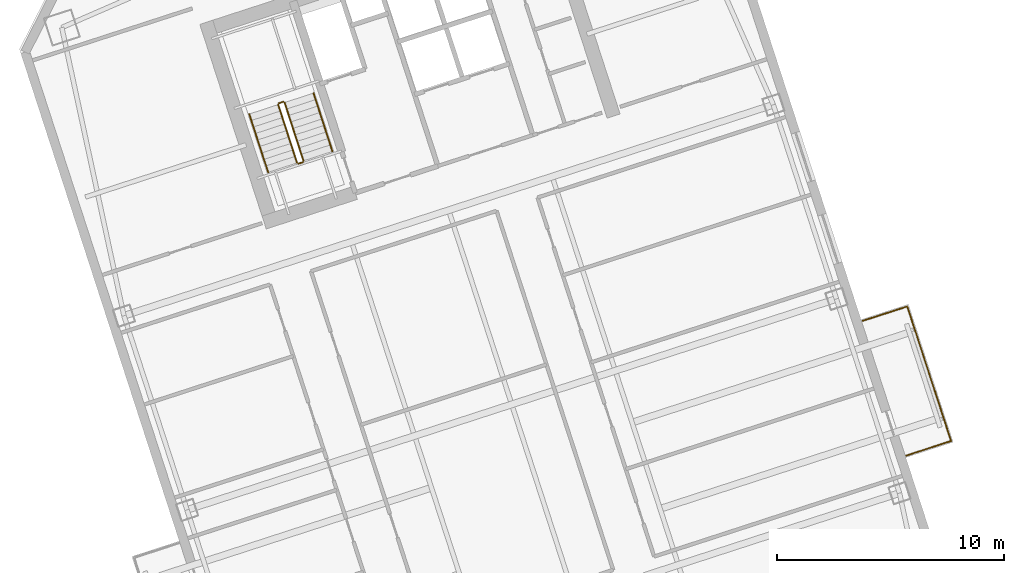
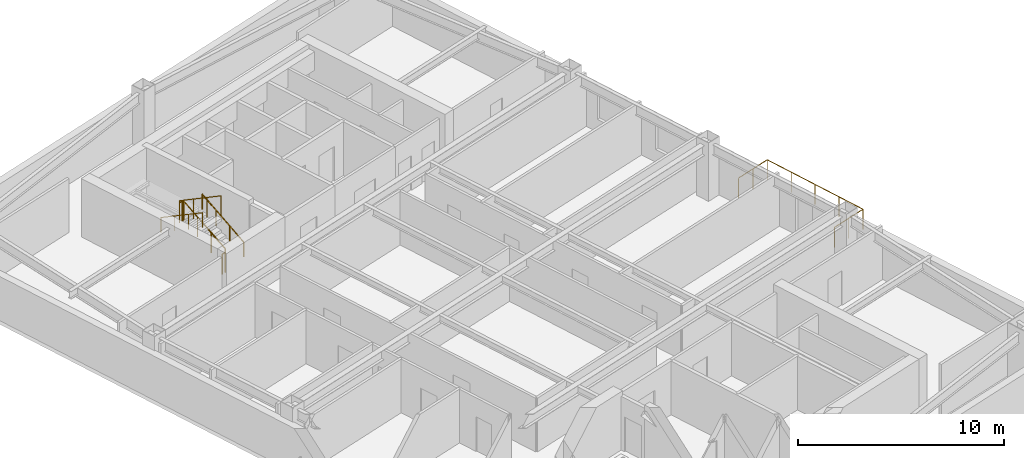
# One storey, part 15 of 15: 7 railings.
"""IFC4 building model written with IfcOpenShell, lengths in metres."""

from ifc_helpers import new_model, si_unit, direction, frame, origin, origin_2d, place, context, subcontext, project, spatial, circle, extrude, material, type_object, element, save


model = new_model("IFC4")

# Units and contexts
model_context = context("Model", 3, precision=1e-05, world=origin(), true_north=direction((0.0, 1.0)))
body_context = subcontext(model_context, "Body", "Model", "MODEL_VIEW")
ifc_project = project(units=[si_unit("LENGTHUNIT", "METRE"), si_unit("AREAUNIT", "SQUARE_METRE"), si_unit("VOLUMEUNIT", "CUBIC_METRE"), si_unit("PLANEANGLEUNIT", "RADIAN"), si_unit("MASSUNIT", "GRAM", prefix="KILO")], contexts=[model_context])

# Site, building, storey
site_placement = place(None, origin())
site = spatial("IfcSite", under=ifc_project, at=site_placement, CompositionType="ELEMENT")
building_placement = place(site_placement, origin())
building = spatial("IfcBuilding", under=site, at=building_placement, Name="Qiaolan Cultural Towers", CompositionType="ELEMENT")
storey_placement = place(building_placement, frame((0.0, 0.0, 166.75)))
storey = spatial("IfcBuildingStorey", under=building, at=storey_placement, Name="L44", CompositionType="ELEMENT", Elevation=166.75)

# Railings
ifc_material_1 = material(Name="Laminated SentryGlas & Stainless Steel S31608 Balustrade", Category="steel")
railing_type_1 = type_object("IfcRailingType", Name="GRD-TERR-1200", PredefinedType="BALUSTRADE", material=ifc_material_1)
railing_1_placement = place(storey_placement, frame((107.39794921875, 31.74609375, 0.0)))
element("IfcRailing", 1, at=railing_1_placement, inside=storey, type_object=railing_type_1, Name="L44 T2 Tree Balcony Guardrail E", PredefinedType="BALUSTRADE", context=body_context, shape_type="SweptSolid", body=[
    extrude(circle(Radius=0.02392578125, at=origin_2d()), frame((0.0, 0.0, 1.17578125), z_axis=(0.951061799618, 0.309000733507, 0.0), x_axis=(-0.309000733507, 0.951061799618, 0.0)), (0.0, 0.0, 1.0), 2.070068359375),
    extrude(circle(Radius=0.02392578125, at=origin_2d()), frame((1.96875, 0.6396484375, 1.17578125), z_axis=(-0.30901175762, 0.951058217804, 0.0), x_axis=(-0.951058217804, -0.30901175762, 0.0)), (0.0, 0.0, 1.0), 6.239990234375),
    extrude(circle(Radius=0.02392578125, at=origin_2d()), frame((0.04052734375, 6.57421875, 1.17578125), z_axis=(-0.951061799618, -0.309000733507, 0.0), x_axis=(0.309000733507, -0.951061799618, 0.0)), (0.0, 0.0, 1.0), 2.070068359375),
    extrude(circle(Radius=0.02099609375, at=origin_2d()), origin(), (0.0, 0.0, 1.0), 1.15185546875),
    extrude(circle(Radius=0.02099609375, at=origin_2d()), frame((0.984375, 0.31982421875, 0.0)), (0.0, 0.0, 1.0), 1.15185546875),
    extrude(circle(Radius=0.02099609375, at=origin_2d()), frame((1.96875, 0.6396484375, 0.0)), (0.0, 0.0, 1.0), 1.15185546875),
    extrude(circle(Radius=0.02099609375, at=origin_2d()), frame((1.48681640625, 2.123291015625, 0.0)), (0.0, 0.0, 1.0), 1.15185546875),
    extrude(circle(Radius=0.02099609375, at=origin_2d()), frame((1.004638671875, 3.60693359375, 0.0)), (0.0, 0.0, 1.0), 1.15185546875),
    extrude(circle(Radius=0.02099609375, at=origin_2d()), frame((0.5224609375, 5.090576171875, 0.0)), (0.0, 0.0, 1.0), 1.15185546875),
    extrude(circle(Radius=0.02099609375, at=origin_2d()), frame((0.04052734375, 6.57421875, 0.0)), (0.0, 0.0, 1.0), 1.15185546875),
    extrude(circle(Radius=0.02099609375, at=origin_2d()), frame((-0.94384765625, 6.25439453125, 0.0)), (0.0, 0.0, 1.0), 1.15185546875),
    extrude(circle(Radius=0.02099609375, at=origin_2d()), frame((-1.92822265625, 5.9345703125, 0.0)), (0.0, 0.0, 1.0), 1.15185546875),
])
ifc_material_2 = material(Name="Galvanized Painted Steel Stair Guardrail", Category="steel")
railing_type_2 = type_object("IfcRailingType", Name="RL-STAIR-GRD", PredefinedType="GUARDRAIL", material=ifc_material_2)
railing_2_placement = place(storey_placement, frame((80.822021484375, 44.739501953125, 0.172607421875)))
element("IfcRailing", 2, at=railing_2_placement, inside=storey, type_object=railing_type_2, Name="L44 ST-E2 stair guard 1", PredefinedType="GUARDRAIL", context=body_context, shape_type="SweptSolid", body=[
    extrude(circle(Radius=0.02392578125, at=origin_2d()), frame((0.0, 0.0, 1.17578125), z_axis=(-0.26785290645, 0.824488402118, 0.498471358535), x_axis=(-0.951069945308, -0.308975661068, 0.0)), (0.0, 0.0, 1.0), 3.114501953125),
    extrude(circle(Radius=0.02099609375, at=origin_2d()), origin(), (0.0, 0.0, 1.0), 1.15185546875),
    extrude(circle(Radius=0.02099609375, at=origin_2d()), frame((-0.278076171875, 0.85595703125, 0.517578125)), (0.0, 0.0, 1.0), 1.15185546875),
    extrude(circle(Radius=0.02099609375, at=origin_2d()), frame((-0.55615234375, 1.7119140625, 1.034912109375)), (0.0, 0.0, 1.0), 1.15185546875),
    extrude(circle(Radius=0.02099609375, at=origin_2d()), frame((-0.834228515625, 2.56787109375, 1.552490234375)), (0.0, 0.0, 1.0), 1.15185546875),
])
railing_3_placement = place(storey_placement, frame((79.9248046875, 47.33935546875, 1.72509765625)))
element("IfcRailing", 3, at=railing_3_placement, inside=storey, type_object=railing_type_2, Name="L44 ST-E2 stair guard 2", PredefinedType="GUARDRAIL", context=body_context, shape_type="SweptSolid", body=[
    extrude(circle(Radius=0.02392578125, at=origin_2d()), frame((0.0, 0.0, 1.17578125), z_axis=(-0.951096855055, -0.308892816854, 0.0), x_axis=(0.308892816854, -0.951096855055, 0.0)), (0.0, 0.0, 1.0), 0.199951171875),
    extrude(circle(Radius=0.02099609375, at=origin_2d()), origin(), (0.0, 0.0, 1.0), 1.15185546875),
    extrude(circle(Radius=0.02099609375, at=origin_2d()), frame((-0.190185546875, -0.061767578125, 0.0)), (0.0, 0.0, 1.0), 1.15185546875),
])
railing_4_placement = place(storey_placement, frame((79.702392578125, 47.214599609375, 1.8974609375)))
element("IfcRailing", 4, at=railing_4_placement, inside=storey, type_object=railing_type_2, Name="L44 ST-E2 stair guard 3", PredefinedType="GUARDRAIL", context=body_context, shape_type="SweptSolid", body=[
    extrude(circle(Radius=0.02392578125, at=origin_2d()), frame((0.0, 0.0, 1.17578125), z_axis=(0.267925668498, -0.824471088726, 0.498460891159), x_axis=(0.951043371037, 0.309057448393, 0.0)), (0.0, 0.0, 1.0), 3.114501953125),
    extrude(circle(Radius=0.02099609375, at=origin_2d()), origin(), (0.0, 0.0, 1.0), 1.15185546875),
    extrude(circle(Radius=0.02099609375, at=origin_2d()), frame((0.278076171875, -0.85595703125, 0.517578125)), (0.0, 0.0, 1.0), 1.15185546875),
    extrude(circle(Radius=0.02099609375, at=origin_2d()), frame((0.556396484375, -1.7119140625, 1.034912109375)), (0.0, 0.0, 1.0), 1.15185546875),
    extrude(circle(Radius=0.02099609375, at=origin_2d()), frame((0.83447265625, -2.56787109375, 1.552490234375)), (0.0, 0.0, 1.0), 1.15185546875),
])
railing_5_placement = place(storey_placement, frame((80.7900390625, 44.676513671875, 0.0)))
element("IfcRailing", 5, at=railing_5_placement, inside=storey, type_object=railing_type_2, Name="L44 ST-E2 stair guard 4", PredefinedType="GUARDRAIL", context=body_context, shape_type="SweptSolid", body=[
    extrude(circle(Radius=0.02392578125, at=origin_2d()), frame((0.0, 0.0, 1.17578125), z_axis=(-0.951096855055, -0.308892816854, 0.0), x_axis=(0.308892816854, -0.951096855055, 0.0)), (0.0, 0.0, 1.0), 0.199951171875),
    extrude(circle(Radius=0.02099609375, at=origin_2d()), origin(), (0.0, 0.0, 1.0), 1.15185546875),
    extrude(circle(Radius=0.02099609375, at=origin_2d()), frame((-0.190185546875, -0.061767578125, 0.0)), (0.0, 0.0, 1.0), 1.15185546875),
])
ifc_material_3 = material(Name="Stainless Steel S30408 Tubular Handrail", Category="steel")
railing_type_3 = type_object("IfcRailingType", Name="RL-STAIR-HR", PredefinedType="HANDRAIL", material=ifc_material_3)
railing_6_placement = place(storey_placement, frame((82.096435546875, 45.153564453125, 0.172607421875)))
element("IfcRailing", 6, at=railing_6_placement, inside=storey, type_object=railing_type_3, Name="L44 ST-E2 stair handrail 1", PredefinedType="HANDRAIL", context=body_context, shape_type="SweptSolid", body=[
    extrude(circle(Radius=0.02392578125, at=origin_2d()), frame((0.0, 0.0, 0.8759765625), z_axis=(-0.26785290645, 0.824488402118, 0.498471358535), x_axis=(-0.951069945308, -0.308975661068, 0.0)), (0.0, 0.0, 1.0), 3.114501953125),
    extrude(circle(Radius=0.02099609375, at=origin_2d()), origin(), (0.0, 0.0, 1.0), 0.851806640625),
    extrude(circle(Radius=0.02099609375, at=origin_2d()), frame((-0.278076171875, 0.85595703125, 0.517578125)), (0.0, 0.0, 1.0), 0.851806640625),
    extrude(circle(Radius=0.02099609375, at=origin_2d()), frame((-0.55615234375, 1.7119140625, 1.034912109375)), (0.0, 0.0, 1.0), 0.851806640625),
    extrude(circle(Radius=0.02099609375, at=origin_2d()), frame((-0.834228515625, 2.56787109375, 1.552490234375)), (0.0, 0.0, 1.0), 0.851806640625),
])
railing_7_placement = place(storey_placement, frame((78.427978515625, 46.800537109375, 1.8974609375)))
element("IfcRailing", 7, at=railing_7_placement, inside=storey, type_object=railing_type_3, Name="L44 ST-E2 stair handrail 2", PredefinedType="HANDRAIL", context=body_context, shape_type="SweptSolid", body=[
    extrude(circle(Radius=0.02392578125, at=origin_2d()), frame((0.0, 0.0, 0.8759765625), z_axis=(0.267925668498, -0.824471088726, 0.498460891159), x_axis=(0.951043371037, 0.309057448393, 0.0)), (0.0, 0.0, 1.0), 3.114501953125),
    extrude(circle(Radius=0.02099609375, at=origin_2d()), origin(), (0.0, 0.0, 1.0), 0.851806640625),
    extrude(circle(Radius=0.02099609375, at=origin_2d()), frame((0.278076171875, -0.85595703125, 0.517578125)), (0.0, 0.0, 1.0), 0.851806640625),
    extrude(circle(Radius=0.02099609375, at=origin_2d()), frame((0.556396484375, -1.7119140625, 1.034912109375)), (0.0, 0.0, 1.0), 0.851806640625),
    extrude(circle(Radius=0.02099609375, at=origin_2d()), frame((0.83447265625, -2.56787109375, 1.552490234375)), (0.0, 0.0, 1.0), 0.851806640625),
])

save(model, "model.ifc")
